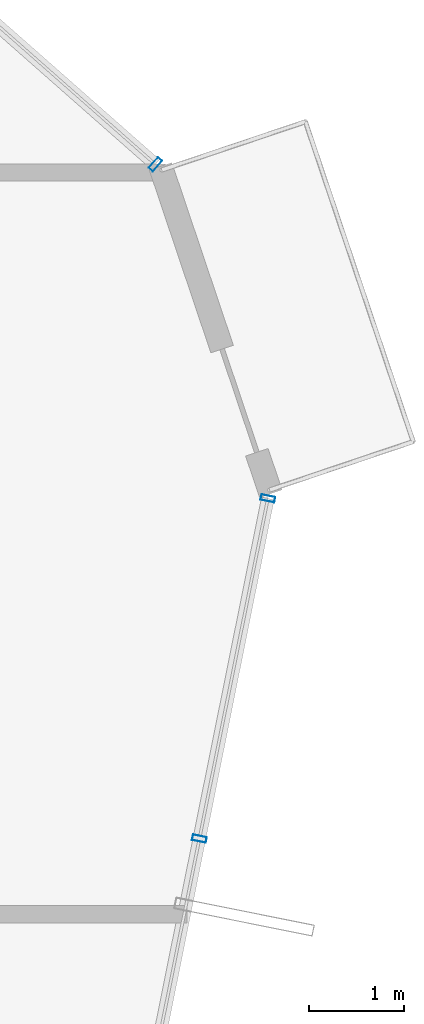
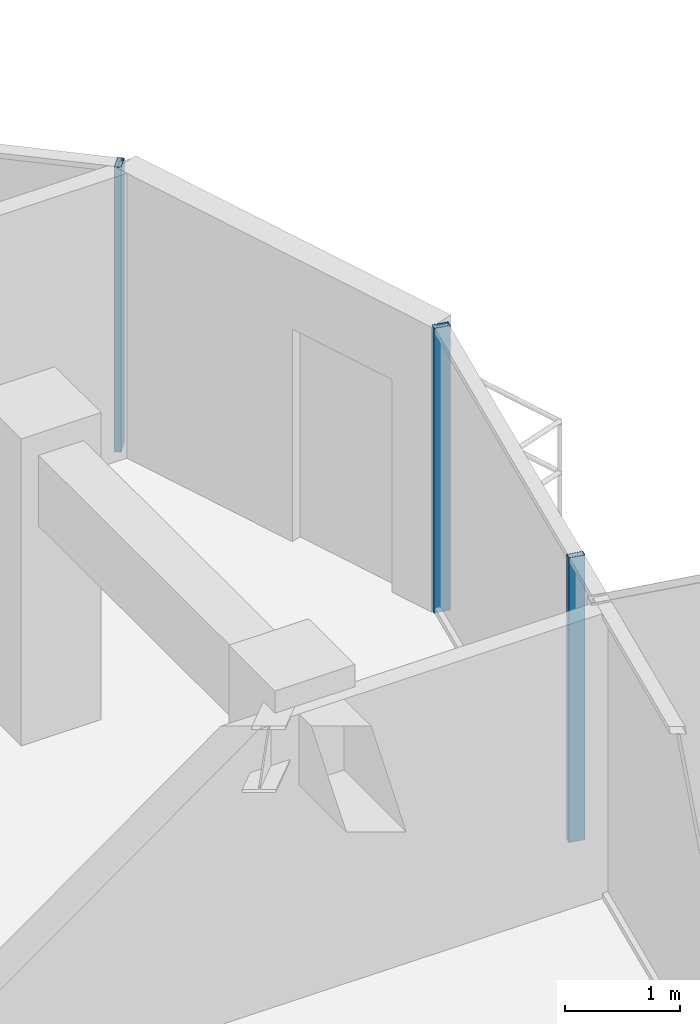
# One storey, part 19 of 28: 3 members, 2 elements without a shape of their own.
"""IFC4 building model written with IfcOpenShell, lengths in metres."""

from ifc_helpers import new_model, si_unit, direction, frame, origin, origin_2d, place, context, subcontext, project, spatial, hollow_rectangle, extrude, source, transform, mapped, material, layer, layer_set, material_profile, profile_set, type_object, element, aggregate, save


model = new_model("IFC4")

# Units and contexts
model_context = context("Model", 3, precision=1e-05, world=origin(), true_north=direction((0.0, 1.0)))
body_context = subcontext(model_context, "Body", "Model", "MODEL_VIEW")
ifc_project = project(units=[si_unit("LENGTHUNIT", "METRE"), si_unit("AREAUNIT", "SQUARE_METRE"), si_unit("VOLUMEUNIT", "CUBIC_METRE"), si_unit("PLANEANGLEUNIT", "RADIAN"), si_unit("MASSUNIT", "GRAM", prefix="KILO")], contexts=[model_context])

# Site, building, storey
site_placement = place(None, origin())
site = spatial("IfcSite", under=ifc_project, at=site_placement, CompositionType="ELEMENT")
building_placement = place(site_placement, origin())
building = spatial("IfcBuilding", under=site, at=building_placement, Name="Veraguas Prism Commons", CompositionType="ELEMENT")
storey_placement = place(building_placement, frame((0.0, 0.0, 248.0)))
storey = spatial("IfcBuildingStorey", under=building, at=storey_placement, Name="L70", CompositionType="ELEMENT", Elevation=248.0)

# Curtain wall, member
ifc_material = material(Name="Anodised aluminium EN AW-6063 T6", Category="aluminium")
ifc_layer = layer(ifc_material, 0.14990234375, Name="Unitised Flush Curtain Wall Zone 4", Category="aluminium")
ifc_layer_set = layer_set([ifc_layer], Name="Anodised aluminium EN AW-6063 T6")
curtain_wall_type = type_object("IfcCurtainWallType", Name="Unitised Flush Curtain Wall Zone 4", PredefinedType="NOTDEFINED", material=ifc_layer_set)
curtain_wall_1_placement = place(storey_placement, origin())
curtain_wall_1 = element("IfcCurtainWall", 1, at=curtain_wall_1_placement, inside=storey, type_object=curtain_wall_type, Name="Tower Facade Curtain Wall L70-F1", PredefinedType="NOTDEFINED")
ifc_material_profile = material_profile(ifc_material, hollow_rectangle(XDim=0.06005859375, YDim=0.14990234375, WallThickness=0.0029296875, at=origin_2d()), Name="AL60X150X3")
ifc_profile_set = profile_set([ifc_material_profile], Name="Anodised aluminium EN AW-6063 T6")
member_type = type_object("IfcMemberType", Name="Curtain Wall Mullion Upper AL 60x150x3", PredefinedType="MULLION", material=ifc_profile_set)
shared_shape = source(origin(), body_context, "Body", "SweptSolid", [
    extrude(hollow_rectangle(XDim=0.06005859375, YDim=0.14990234375, WallThickness=0.0029296875, at=origin_2d()), origin(), (0.0, 0.0, 1.0), 3.014892578125),
])
member_1_placement = place(storey_placement, frame((40.394775390625, 31.48583984375, 0.0), z_axis=(0.0, 0.0, 1.0), x_axis=(-0.750347634036, 0.661043438888, 0.0)))
member_1 = element("IfcMember", 2, at=member_1_placement, type_object=member_type, Name="CW-Z4 Mullion 1", PredefinedType="MULLION", context=body_context, shape_type="MappedRepresentation", body=[
    mapped(shared_shape, transform((0.0, 0.0, 0.0), scale=1.0)),
])
aggregate(curtain_wall_1, [member_1])

# Curtain wall, members
curtain_wall_2_placement = place(storey_placement, origin())
curtain_wall_2 = element("IfcCurtainWall", 3, at=curtain_wall_2_placement, inside=storey, type_object=curtain_wall_type, Name="Tower Facade Curtain Wall L70-F6", PredefinedType="NOTDEFINED")
member_2_placement = place(storey_placement, frame((40.859375, 24.372314453125, 0.0), z_axis=(0.0, 0.0, 1.0), x_axis=(0.197318571184, 0.980339421561, 0.0)))
member_2 = element("IfcMember", 4, at=member_2_placement, type_object=member_type, Name="CW-Z4 Mullion 4", PredefinedType="MULLION", context=body_context, shape_type="MappedRepresentation", body=[
    mapped(shared_shape, transform((0.0, 0.0, 0.0), scale=1.0)),
])
member_3_placement = place(storey_placement, frame((41.581787109375, 27.9619140625, 0.0), z_axis=(0.0, 0.0, 1.0), x_axis=(0.197318571184, 0.980339421561, 0.0)))
member_3 = element("IfcMember", 5, at=member_3_placement, type_object=member_type, Name="CW-Z4 Mullion 5", PredefinedType="MULLION", context=body_context, shape_type="MappedRepresentation", body=[
    mapped(shared_shape, transform((0.0, 0.0, 0.0), scale=1.0)),
])
aggregate(curtain_wall_2, [member_2, member_3])

save(model, "model.ifc")
